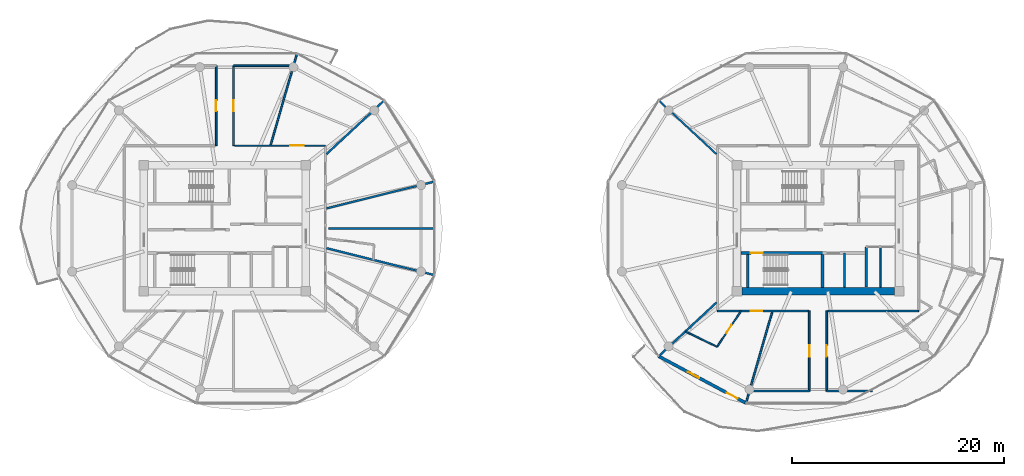
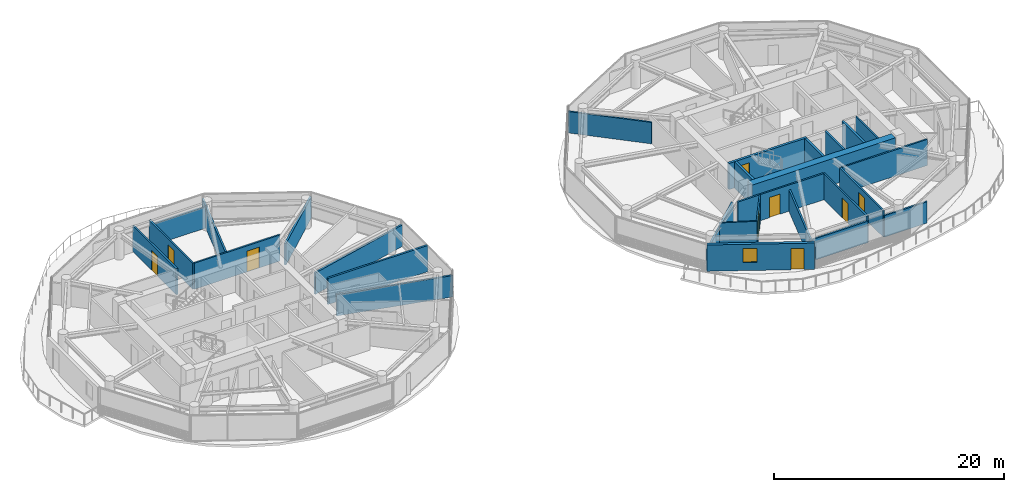
# One storey, part 15 of 22: 28 walls, 9 doors, 1 window, 10 openings.
"""IFC4 building model written with IfcOpenShell, lengths in metres."""

from ifc_helpers import new_model, si_unit, direction, frame, frame_2d, origin, place, context, subcontext, project, spatial, rectangle, extrude, source, transform, mapped, material, layer, layer_set, type_object, type_shapes, element, fill, save


model = new_model("IFC4")

# Units and contexts
model_context = context("Model", 3, precision=1e-05, world=origin(), true_north=direction((0.0, 1.0)))
body_context = subcontext(model_context, "Body", "Model", "MODEL_VIEW")
ifc_project = project(units=[si_unit("LENGTHUNIT", "METRE"), si_unit("AREAUNIT", "SQUARE_METRE"), si_unit("VOLUMEUNIT", "CUBIC_METRE"), si_unit("PLANEANGLEUNIT", "RADIAN"), si_unit("MASSUNIT", "GRAM", prefix="KILO")], contexts=[model_context])

# Site, building, storey
site_placement = place(None, origin())
site = spatial("IfcSite", under=ifc_project, at=site_placement, CompositionType="ELEMENT")
building_placement = place(site_placement, origin())
building = spatial("IfcBuilding", under=site, at=building_placement, Name="Norrkilde Senior Care Towers", CompositionType="ELEMENT")
storey_placement = place(building_placement, frame((0.0, 0.0, 87.10009765625)))
storey = spatial("IfcBuildingStorey", under=building, at=storey_placement, Name="L26", CompositionType="ELEMENT", Elevation=87.10009765625)

# Wall
ifc_material_1 = material(Name="Concrete C60/75", Category="concrete")
ifc_layer_1 = layer(ifc_material_1, 0.719970703125)
ifc_layer_set_1 = layer_set([ifc_layer_1], Name="Concrete C60/75")
wall_type_1 = type_object("IfcWallType", Name="Core Shear Wall Z2 720", PredefinedType="SHEAR", material=ifc_layer_set_1)
shared_shape_1 = source(origin(), body_context, "Body", "SweptSolid", [
    extrude(rectangle(XDim=14.39990234375, YDim=0.719970703125, at=frame_2d((7.199951171875, 0.0))), origin(), (0.0, 0.0, 1.0), 2.789794921875),
])
type_shapes(wall_type_1, [shared_shape_1])
wall_1_placement = place(storey_placement, frame((35.199951171875, -5.949951171875, 0.0), z_axis=(0.0, 0.0, 1.0), x_axis=(-1.0, 0.0, 0.0)))
element("IfcWall", 1, at=wall_1_placement, inside=storey, type_object=wall_type_1, Name="L26 Core E South Shear Wall", PredefinedType="SHEAR", context=body_context, shape_type="MappedRepresentation", body=[
    mapped(shared_shape_1, transform((0.0, 0.0, 0.0), x_axis=(1.0, 0.0, 0.0), y_axis=(0.0, 1.0, 0.0), z_axis=(0.0, 0.0, 1.0), scale=1.0)),
])

# Wall, openings, door, window
ifc_material_2 = material(Name="Precast concrete C45/55", Category="concrete")
ifc_layer_2 = layer(ifc_material_2, 0.2900390625)
ifc_layer_set_2 = layer_set([ifc_layer_2], Name="Precast concrete C45/55")
wall_type_2 = type_object("IfcWallType", Name="Winter Garden Facade Wall 290", PredefinedType="SOLIDWALL", material=ifc_layer_set_2)
shared_shape_2 = source(origin(), body_context, "Body", "SweptSolid", [
    extrude(rectangle(XDim=9.3505859375, YDim=0.2900390625, at=frame_2d((4.67529296875, 0.0))), origin(), (0.0, 0.0, 1.0), 2.789794921875),
])
type_shapes(wall_type_2, [shared_shape_2])
wall_2_placement = place(storey_placement, frame((21.19287109375, -16.498046875, 0.0), z_axis=(0.0, 0.0, 1.0), x_axis=(-0.881184411073, 0.472772708267, 0.0)))
wall_2 = element("IfcWall", 2, at=wall_2_placement, inside=storey, type_object=wall_type_2, Name="L26 Drum E Balcony Access Wall 07", PredefinedType="SOLIDWALL", context=body_context, shape_type="MappedRepresentation", body=[
    mapped(shared_shape_2, transform((0.0, 0.0, 0.0), x_axis=(1.0, 0.0, 0.0), y_axis=(0.0, 1.0, 0.0), z_axis=(0.0, 0.0, 1.0), scale=1.0)),
])
opening_1_placement = place(wall_2_placement, frame((0.89990234375, 0.0, 0.0)))
opening_1 = element("IfcOpeningElement", 3, at=opening_1_placement, cuts=wall_2, Name="Opening D-09", PredefinedType="OPENING", context=body_context, shape_type="SweptSolid", body=[
    extrude(rectangle(XDim=1.14990234375, YDim=2.25, at=frame_2d((0.574951171875, 1.125))), frame((0.0, 0.155029296875, 0.0), z_axis=(0.0, -1.0, 0.0), x_axis=(1.0, 0.0, 0.0)), (0.0, 0.0, 1.0), 0.31005859375),
])
opening_2_placement = place(wall_2_placement, frame((5.025146484375, 0.0, 0.85009765625)))
opening_2 = element("IfcOpeningElement", 4, at=opening_2_placement, cuts=wall_2, Name="Opening WN-07", PredefinedType="OPENING", context=body_context, shape_type="SweptSolid", body=[
    extrude(rectangle(XDim=1.199951171875, YDim=1.5, at=frame_2d((0.60009765625, 0.75))), frame((0.0, 0.155029296875, 0.0), z_axis=(0.0, -1.0, 0.0), x_axis=(1.0, 0.0, 0.0)), (0.0, 0.0, 1.0), 0.31005859375),
])
ifc_material_3 = material(Name="Anodised Aluminium", Category="aluminium")
door_type_1 = type_object("IfcDoorType", Name="Terrace and Balcony Glazed Door 1150x2250", OperationType="NOTDEFINED", PredefinedType="DOOR", material=ifc_material_3)
shared_shape_3 = source(origin(), body_context, "Body", "SweptSolid", [
    extrude(rectangle(XDim=1.14990234375, YDim=2.25, at=frame_2d((0.574951171875, 1.125))), frame((0.0, 0.02490234375, 0.0), z_axis=(0.0, -1.0, 0.0), x_axis=(1.0, 0.0, 0.0)), (0.0, 0.0, 1.0), 0.050048828125),
])
type_shapes(door_type_1, [shared_shape_3])
door_1_placement = place(opening_1_placement, origin())
door_1 = element("IfcDoor", 5, at=door_1_placement, inside=storey, type_object=door_type_1, Name="L26 Drum E Outdoor Terrace Door 07", OperationType="SINGLE_SWING_RIGHT", OverallHeight=2.25, OverallWidth=1.14990234375, PredefinedType="DOOR", context=body_context, shape_type="MappedRepresentation", body=[
    mapped(shared_shape_3, transform((0.0, 0.0, 0.0), x_axis=(1.0, 0.0, 0.0), y_axis=(0.0, 1.0, 0.0), z_axis=(0.0, 0.0, 1.0), scale=1.0)),
])
fill(opening_1, door_1)
ifc_material_4 = material(Name="Triple Low-E Insulated Glazing", Category="glass")
window_type = type_object("IfcWindowType", Name="Stairwell Smoke Vent Window 1200x1500", PartitioningType="SINGLE_PANEL", PredefinedType="WINDOW", material=ifc_material_4)
shared_shape_4 = source(origin(), body_context, "Body", "SweptSolid", [
    extrude(rectangle(XDim=1.199951171875, YDim=1.5, at=frame_2d((0.60009765625, 0.75))), frame((0.0, 0.030029296875, 0.0), z_axis=(0.0, -1.0, 0.0), x_axis=(1.0, 0.0, 0.0)), (0.0, 0.0, 1.0), 0.06005859375),
])
type_shapes(window_type, [shared_shape_4])
window_placement = place(opening_2_placement, origin())
window = element("IfcWindow", 6, at=window_placement, inside=storey, type_object=window_type, Name="L26 Drum E Winter Garden Window 07", OverallHeight=1.5, OverallWidth=1.199951171875, PartitioningType="SINGLE_PANEL", PredefinedType="WINDOW", context=body_context, shape_type="MappedRepresentation", body=[
    mapped(shared_shape_4, transform((0.0, 0.0, 0.0), x_axis=(1.0, 0.0, 0.0), y_axis=(0.0, 1.0, 0.0), z_axis=(0.0, 0.0, 1.0), scale=1.0)),
])
fill(opening_2, window)

# Walls
ifc_material_5 = material(Name="Concrete C45/55", Category="concrete")
ifc_layer_3 = layer(ifc_material_5, 0.199951171875)
ifc_layer_set_3 = layer_set([ifc_layer_3], Name="Concrete C45/55")
wall_type_3 = type_object("IfcWallType", Name="Shaft Division and Plant Partition 200", PredefinedType="PARTITIONING", material=ifc_layer_set_3)
shared_shape_5 = source(origin(), body_context, "Body", "SweptSolid", [
    extrude(rectangle(XDim=3.800048828125, YDim=0.199951171875, at=frame_2d((1.89990234375, 0.0))), origin(), (0.0, 0.0, 1.0), 2.77490234375),
])
type_shapes(wall_type_3, [shared_shape_5])
wall_3_placement = place(storey_placement, frame((32.550048828125, -5.550048828125, 0.0), z_axis=(0.0, 0.0, 1.0), x_axis=(0.0, 1.0, 0.0)))
element("IfcWall", 7, at=wall_3_placement, inside=storey, type_object=wall_type_3, Name="WL-INT-L26-E-PKBE", PredefinedType="PARTITIONING", context=body_context, shape_type="MappedRepresentation", body=[
    mapped(shared_shape_5, transform((0.0, 0.0, 0.0), x_axis=(1.0, 0.0, 0.0), y_axis=(0.0, 1.0, 0.0), z_axis=(0.0, 0.0, 1.0), scale=1.0)),
])
ifc_layer_4 = layer(ifc_material_5, 0.179931640625)
ifc_layer_set_4 = layer_set([ifc_layer_4], Name="Concrete C45/55")
wall_type_4 = type_object("IfcWallType", Name="Hoistway Division Rated Partition 180", PredefinedType="PARTITIONING", material=ifc_layer_set_4)
shared_shape_6 = source(origin(), body_context, "Body", "SweptSolid", [
    extrude(rectangle(XDim=3.219970703125, YDim=0.179931640625, at=frame_2d((1.60986328125, 0.0))), origin(), (0.0, 0.0, 1.0), 2.77490234375),
])
type_shapes(wall_type_4, [shared_shape_6])
wall_4_placement = place(storey_placement, frame((30.5, -5.550048828125, 0.0), z_axis=(0.0, 0.0, 1.0), x_axis=(0.0, 1.0, 0.0)))
element("IfcWall", 8, at=wall_4_placement, inside=storey, type_object=wall_type_4, Name="WL-INT-L26-E-PL34", PredefinedType="PARTITIONING", context=body_context, shape_type="MappedRepresentation", body=[
    mapped(shared_shape_6, transform((0.0, 0.0, 0.0), x_axis=(1.0, 0.0, 0.0), y_axis=(0.0, 1.0, 0.0), z_axis=(0.0, 0.0, 1.0), scale=1.0)),
])
ifc_material_6 = material(Name="Gypsum Acoustic Board")
ifc_layer_5 = layer(ifc_material_6, 0.139892578125)
ifc_layer_set_5 = layer_set([ifc_layer_5], Name="Gypsum Acoustic Board")
wall_type_5 = type_object("IfcWallType", Name="En-suite Wet Room Wall 140", PredefinedType="PARTITIONING", material=ifc_layer_set_5)
shared_shape_7 = source(origin(), body_context, "Body", "SweptSolid", [
    extrude(rectangle(XDim=3.800048828125, YDim=0.139892578125, at=frame_2d((1.89990234375, 0.0))), origin(), (0.0, 0.0, 1.0), 2.77490234375),
])
wall_5_placement = place(storey_placement, frame((33.89990234375, -5.550048828125, 0.0), z_axis=(0.0, 0.0, 1.0), x_axis=(0.0, 1.0, 0.0)))
element("IfcWall", 9, at=wall_5_placement, inside=storey, type_object=wall_type_5, Name="WL-INT-L26-E-CS1V", PredefinedType="PARTITIONING", context=body_context, shape_type="MappedRepresentation", body=[
    mapped(shared_shape_7, transform((0.0, 0.0, 0.0), x_axis=(1.0, 0.0, 0.0), y_axis=(0.0, 1.0, 0.0), z_axis=(0.0, 0.0, 1.0), scale=1.0)),
])

# Wall, opening, door
ifc_layer_6 = layer(ifc_material_6, 0.1650390625)
ifc_layer_set_6 = layer_set([ifc_layer_6], Name="Gypsum Acoustic Board")
wall_type_6 = type_object("IfcWallType", Name="Corridor Rated Partition 165", PredefinedType="PARTITIONING", material=ifc_layer_set_6)
shared_shape_8 = source(origin(), body_context, "Body", "SweptSolid", [
    extrude(rectangle(XDim=8.60009765625, YDim=0.1650390625, at=frame_2d((4.300048828125, 0.0))), origin(), (0.0, 0.0, 1.0), 2.77490234375),
])
wall_6_placement = place(storey_placement, frame((-27.10009765625, 7.800048828125, 0.0), z_axis=(0.0, 0.0, 1.0), x_axis=(1.0, 0.0, 0.0)))
wall_6 = element("IfcWall", 10, at=wall_6_placement, inside=storey, type_object=wall_type_6, Name="WL-INT-L26-W-CRW-N-1", PredefinedType="PARTITIONING", context=body_context, shape_type="MappedRepresentation", body=[
    mapped(shared_shape_8, transform((0.0, 0.0, 0.0), x_axis=(1.0, 0.0, 0.0), y_axis=(0.0, 1.0, 0.0), z_axis=(0.0, 0.0, 1.0), scale=1.0)),
])
opening_3_placement = place(wall_6_placement, frame((5.27490234375, 0.0, 0.0)))
opening_3 = element("IfcOpeningElement", 11, at=opening_3_placement, cuts=wall_6, Name="Opening D-05", PredefinedType="OPENING", context=body_context, shape_type="SweptSolid", body=[
    extrude(rectangle(XDim=1.25, YDim=2.199951171875, at=frame_2d((0.625, 1.10009765625))), frame((0.0, 0.092529296875, 0.0), z_axis=(0.0, -1.0, 0.0), x_axis=(1.0, 0.0, 0.0)), (0.0, 0.0, 1.0), 0.18505859375),
])
ifc_material_7 = material(Name="Nordic Ash Timber", Category="wood")
door_type_2 = type_object("IfcDoorType", Name="Care Bedroom Bariatric Door 1250x2200", OperationType="NOTDEFINED", PredefinedType="DOOR", material=ifc_material_7)
shared_shape_9 = source(origin(), body_context, "Body", "SweptSolid", [
    extrude(rectangle(XDim=1.25, YDim=2.199951171875, at=frame_2d((0.625, 1.10009765625))), frame((0.0, 0.02490234375, 0.0), z_axis=(0.0, -1.0, 0.0), x_axis=(1.0, 0.0, 0.0)), (0.0, 0.0, 1.0), 0.050048828125),
])
type_shapes(door_type_2, [shared_shape_9])
door_2_placement = place(opening_3_placement, frame((1.25, 0.0, 0.0), z_axis=(0.0, 0.0, 1.0), x_axis=(-1.0, 0.0, 0.0)))
door_2 = element("IfcDoor", 12, at=door_2_placement, inside=storey, type_object=door_type_2, Name="L26 Household Therapeutic Kitchen Door", OperationType="SINGLE_SWING_RIGHT", OverallHeight=2.199951171875, OverallWidth=1.25, PredefinedType="DOOR", context=body_context, shape_type="MappedRepresentation", body=[
    mapped(shared_shape_9, transform((0.0, 0.0, 0.0), x_axis=(1.0, 0.0, 0.0), y_axis=(0.0, 1.0, 0.0), z_axis=(0.0, 0.0, 1.0), scale=1.0)),
])
fill(opening_3, door_2)

# Wall
wall_7_placement = place(storey_placement, frame((37.5, -7.800048828125, 0.0), z_axis=(0.0, 0.0, 1.0), x_axis=(-1.0, 0.0, 0.0)))
element("IfcWall", 13, at=wall_7_placement, inside=storey, type_object=wall_type_6, Name="WL-INT-L26-E-CRW-S-0", PredefinedType="PARTITIONING", context=body_context, shape_type="MappedRepresentation", body=[
    mapped(shared_shape_8, transform((0.0, 0.0, 0.0), x_axis=(1.0, 0.0, 0.0), y_axis=(0.0, 1.0, 0.0), z_axis=(0.0, 0.0, 1.0), scale=1.0)),
])

# Wall, opening, door
wall_8_placement = place(storey_placement, frame((27.10009765625, -7.800048828125, 0.0), z_axis=(0.0, 0.0, 1.0), x_axis=(-1.0, 0.0, 0.0)))
wall_8 = element("IfcWall", 14, at=wall_8_placement, inside=storey, type_object=wall_type_6, Name="WL-INT-L26-E-CRW-S-1", PredefinedType="PARTITIONING", context=body_context, shape_type="MappedRepresentation", body=[
    mapped(shared_shape_8, transform((0.0, 0.0, 0.0), x_axis=(1.0, 0.0, 0.0), y_axis=(0.0, 1.0, 0.0), z_axis=(0.0, 0.0, 1.0), scale=1.0)),
])
opening_4_placement = place(wall_8_placement, frame((4.384033203125, 0.0, 0.0)))
opening_4 = element("IfcOpeningElement", 15, at=opening_4_placement, cuts=wall_8, Name="Opening D-06", PredefinedType="OPENING", context=body_context, shape_type="SweptSolid", body=[
    extrude(rectangle(XDim=1.050048828125, YDim=2.14990234375, at=frame_2d((0.52490234375, 1.074951171875))), frame((0.0, 0.092529296875, 0.0), z_axis=(0.0, -1.0, 0.0), x_axis=(1.0, 0.0, 0.0)), (0.0, 0.0, 1.0), 0.18505859375),
])
door_type_3 = type_object("IfcDoorType", Name="Apartment Entrance Fire Door 1050x2150", OperationType="NOTDEFINED", PredefinedType="DOOR", material=ifc_material_7)
shared_shape_10 = source(origin(), body_context, "Body", "SweptSolid", [
    extrude(rectangle(XDim=1.050048828125, YDim=2.14990234375, at=frame_2d((0.52490234375, 1.074951171875))), frame((0.0, 0.02490234375, 0.0), z_axis=(0.0, -1.0, 0.0), x_axis=(1.0, 0.0, 0.0)), (0.0, 0.0, 1.0), 0.050048828125),
])
type_shapes(door_type_3, [shared_shape_10])
door_3_placement = place(opening_4_placement, frame((1.050048828125, 0.0, 0.0), z_axis=(0.0, 0.0, 1.0), x_axis=(-1.0, 0.0, 0.0)))
door_3 = element("IfcDoor", 16, at=door_3_placement, inside=storey, type_object=door_type_3, Name="L26 Studio 26B Entrance Door", OperationType="SINGLE_SWING_RIGHT", OverallHeight=2.14990234375, OverallWidth=1.050048828125, PredefinedType="DOOR", context=body_context, shape_type="MappedRepresentation", body=[
    mapped(shared_shape_10, transform((0.0, 0.0, 0.0), x_axis=(1.0, 0.0, 0.0), y_axis=(0.0, 1.0, 0.0), z_axis=(0.0, 0.0, 1.0), scale=1.0)),
])
fill(opening_4, door_3)

# Walls
shared_shape_11 = source(origin(), body_context, "Body", "SweptSolid", [
    extrude(rectangle(XDim=8.9892578125, YDim=0.1650390625, at=frame_2d((4.49462890625, 0.0))), origin(), (0.0, 0.0, 1.0), 2.27490234375),
])
for number, where, z_axis, x_axis, name in (
    (17, (-23.677978515625, 7.8798828125, 0.0), (0.0, 0.0, 1.0), (0.27702323008, 0.960863221274, 0.0), "WL-INT-L26-W-DEM-02-0"),
    (18, (23.677978515625, -7.8798828125, 0.0), (0.0, 0.0, 1.0), (-0.27702323008, -0.960863221274, 0.0), "WL-INT-L26-E-DEM-08-0"),
):
    element("IfcWall", number, at=place(storey_placement, frame(where, z_axis=z_axis, x_axis=x_axis)), inside=storey, type_object=wall_type_6, Name=name, PredefinedType="PARTITIONING", context=body_context, shape_type="MappedRepresentation", body=[
        mapped(shared_shape_11, transform((0.0, 0.0, 0.0), x_axis=(1.0, 0.0, 0.0), y_axis=(0.0, 1.0, 0.0), z_axis=(0.0, 0.0, 1.0), scale=1.0)),
    ])
shared_shape_12 = source(origin(), body_context, "Body", "SweptSolid", [
    extrude(rectangle(XDim=7.482177734375, YDim=0.1650390625, at=frame_2d((3.7412109375, 0.0))), origin(), (0.0, 0.0, 1.0), 2.27490234375),
])
wall_9_placement = place(storey_placement, frame((18.419921875, 6.998046875, 0.0), z_axis=(0.0, 0.0, 1.0), x_axis=(-0.732508698043, 0.680757671489, 0.0)))
element("IfcWall", 19, at=wall_9_placement, inside=storey, type_object=wall_type_6, Name="WL-INT-L26-E-DEM-04-0", PredefinedType="PARTITIONING", context=body_context, shape_type="MappedRepresentation", body=[
    mapped(shared_shape_12, transform((0.0, 0.0, 0.0), x_axis=(1.0, 0.0, 0.0), y_axis=(0.0, 1.0, 0.0), z_axis=(0.0, 0.0, 1.0), scale=1.0)),
])

# Wall, opening, door
shared_shape_13 = source(origin(), body_context, "Body", "SweptSolid", [
    extrude(rectangle(XDim=7.56005859375, YDim=0.1650390625, at=frame_2d((3.780029296875, 0.0))), origin(), (0.0, 0.0, 1.0), 2.77490234375),
])
wall_10_placement = place(storey_placement, frame((-28.820068359375, 7.800048828125, 0.0), z_axis=(0.0, 0.0, 1.0), x_axis=(0.0, 1.0, 0.0)))
wall_10 = element("IfcWall", 20, at=wall_10_placement, inside=storey, type_object=wall_type_6, Name="WL-INT-L26-W-PKW-NWL", PredefinedType="PARTITIONING", context=body_context, shape_type="MappedRepresentation", body=[
    mapped(shared_shape_13, transform((0.0, 0.0, 0.0), x_axis=(1.0, 0.0, 0.0), y_axis=(0.0, 1.0, 0.0), z_axis=(0.0, 0.0, 1.0), scale=1.0)),
])
opening_5_placement = place(wall_10_placement, frame((3.2548828125, 0.0, 0.0)))
opening_5 = element("IfcOpeningElement", 21, at=opening_5_placement, cuts=wall_10, Name="Opening D-06", PredefinedType="OPENING", context=body_context, shape_type="SweptSolid", body=[
    extrude(rectangle(XDim=1.050048828125, YDim=2.14990234375, at=frame_2d((0.52490234375, 1.074951171875))), frame((0.0, 0.092529296875, 0.0), z_axis=(0.0, -1.0, 0.0), x_axis=(1.0, 0.0, 0.0)), (0.0, 0.0, 1.0), 0.18505859375),
])
door_4_placement = place(opening_5_placement, frame((1.050048828125, 0.0, 0.0), z_axis=(0.0, 0.0, 1.0), x_axis=(-1.0, 0.0, 0.0)))
door_4 = element("IfcDoor", 22, at=door_4_placement, inside=storey, type_object=door_type_3, Name="L26 Reading Lounge NWL Door", OperationType="SINGLE_SWING_RIGHT", OverallHeight=2.14990234375, OverallWidth=1.050048828125, PredefinedType="DOOR", context=body_context, shape_type="MappedRepresentation", body=[
    mapped(shared_shape_10, transform((0.0, 0.0, 0.0), x_axis=(1.0, 0.0, 0.0), y_axis=(0.0, 1.0, 0.0), z_axis=(0.0, 0.0, 1.0), scale=1.0)),
])
fill(opening_5, door_4)

wall_11_placement = place(storey_placement, frame((-27.179931640625, 7.800048828125, 0.0), z_axis=(0.0, 0.0, 1.0), x_axis=(0.0, 1.0, 0.0)))
wall_11 = element("IfcWall", 23, at=wall_11_placement, inside=storey, type_object=wall_type_6, Name="WL-INT-L26-W-PKW-NEL", PredefinedType="PARTITIONING", context=body_context, shape_type="MappedRepresentation", body=[
    mapped(shared_shape_13, transform((0.0, 0.0, 0.0), x_axis=(1.0, 0.0, 0.0), y_axis=(0.0, 1.0, 0.0), z_axis=(0.0, 0.0, 1.0), scale=1.0)),
])
opening_6_placement = place(wall_11_placement, frame((3.2548828125, 0.0, 0.0)))
opening_6 = element("IfcOpeningElement", 24, at=opening_6_placement, cuts=wall_11, Name="Opening D-06", PredefinedType="OPENING", context=body_context, shape_type="SweptSolid", body=[
    extrude(rectangle(XDim=1.050048828125, YDim=2.14990234375, at=frame_2d((0.52490234375, 1.074951171875))), frame((0.0, 0.092529296875, 0.0), z_axis=(0.0, -1.0, 0.0), x_axis=(1.0, 0.0, 0.0)), (0.0, 0.0, 1.0), 0.18505859375),
])
door_5_placement = place(opening_6_placement, frame((1.050048828125, 0.0, 0.0), z_axis=(0.0, 0.0, 1.0), x_axis=(-1.0, 0.0, 0.0)))
door_5 = element("IfcDoor", 25, at=door_5_placement, inside=storey, type_object=door_type_3, Name="L26 Reading Lounge NEL Door", OperationType="SINGLE_SWING_RIGHT", OverallHeight=2.14990234375, OverallWidth=1.050048828125, PredefinedType="DOOR", context=body_context, shape_type="MappedRepresentation", body=[
    mapped(shared_shape_10, transform((0.0, 0.0, 0.0), x_axis=(1.0, 0.0, 0.0), y_axis=(0.0, 1.0, 0.0), z_axis=(0.0, 0.0, 1.0), scale=1.0)),
])
fill(opening_6, door_5)

wall_12_placement = place(storey_placement, frame((27.179931640625, -15.360107421875, 0.0), z_axis=(0.0, 0.0, 1.0), x_axis=(0.0, 1.0, 0.0)))
wall_12 = element("IfcWall", 26, at=wall_12_placement, inside=storey, type_object=wall_type_6, Name="WL-INT-L26-E-PKW-SWL", PredefinedType="PARTITIONING", context=body_context, shape_type="MappedRepresentation", body=[
    mapped(shared_shape_13, transform((0.0, 0.0, 0.0), x_axis=(1.0, 0.0, 0.0), y_axis=(0.0, 1.0, 0.0), z_axis=(0.0, 0.0, 1.0), scale=1.0)),
])
opening_7_placement = place(wall_12_placement, frame((3.2548828125, 0.0, 0.0)))
opening_7 = element("IfcOpeningElement", 27, at=opening_7_placement, cuts=wall_12, Name="Opening D-06", PredefinedType="OPENING", context=body_context, shape_type="SweptSolid", body=[
    extrude(rectangle(XDim=1.050048828125, YDim=2.14990234375, at=frame_2d((0.52490234375, 1.074951171875))), frame((0.0, 0.092529296875, 0.0), z_axis=(0.0, -1.0, 0.0), x_axis=(1.0, 0.0, 0.0)), (0.0, 0.0, 1.0), 0.18505859375),
])
door_6_placement = place(opening_7_placement, frame((1.050048828125, 0.0, 0.0), z_axis=(0.0, 0.0, 1.0), x_axis=(-1.0, 0.0, 0.0)))
door_6 = element("IfcDoor", 28, at=door_6_placement, inside=storey, type_object=door_type_3, Name="L26 Reading Lounge SWL Door", OperationType="SINGLE_SWING_RIGHT", OverallHeight=2.14990234375, OverallWidth=1.050048828125, PredefinedType="DOOR", context=body_context, shape_type="MappedRepresentation", body=[
    mapped(shared_shape_10, transform((0.0, 0.0, 0.0), x_axis=(1.0, 0.0, 0.0), y_axis=(0.0, 1.0, 0.0), z_axis=(0.0, 0.0, 1.0), scale=1.0)),
])
fill(opening_7, door_6)

wall_13_placement = place(storey_placement, frame((28.820068359375, -15.360107421875, 0.0), z_axis=(0.0, 0.0, 1.0), x_axis=(0.0, 1.0, 0.0)))
wall_13 = element("IfcWall", 29, at=wall_13_placement, inside=storey, type_object=wall_type_6, Name="WL-INT-L26-E-PKW-SEL", PredefinedType="PARTITIONING", context=body_context, shape_type="MappedRepresentation", body=[
    mapped(shared_shape_13, transform((0.0, 0.0, 0.0), x_axis=(1.0, 0.0, 0.0), y_axis=(0.0, 1.0, 0.0), z_axis=(0.0, 0.0, 1.0), scale=1.0)),
])
opening_8_placement = place(wall_13_placement, frame((3.2548828125, 0.0, 0.0)))
opening_8 = element("IfcOpeningElement", 30, at=opening_8_placement, cuts=wall_13, Name="Opening D-06", PredefinedType="OPENING", context=body_context, shape_type="SweptSolid", body=[
    extrude(rectangle(XDim=1.050048828125, YDim=2.14990234375, at=frame_2d((0.52490234375, 1.074951171875))), frame((0.0, 0.092529296875, 0.0), z_axis=(0.0, -1.0, 0.0), x_axis=(1.0, 0.0, 0.0)), (0.0, 0.0, 1.0), 0.18505859375),
])
door_7_placement = place(opening_8_placement, frame((1.050048828125, 0.0, 0.0), z_axis=(0.0, 0.0, 1.0), x_axis=(-1.0, 0.0, 0.0)))
door_7 = element("IfcDoor", 31, at=door_7_placement, inside=storey, type_object=door_type_3, Name="L26 Reading Lounge SEL Door", OperationType="SINGLE_SWING_RIGHT", OverallHeight=2.14990234375, OverallWidth=1.050048828125, PredefinedType="DOOR", context=body_context, shape_type="MappedRepresentation", body=[
    mapped(shared_shape_10, transform((0.0, 0.0, 0.0), x_axis=(1.0, 0.0, 0.0), y_axis=(0.0, 1.0, 0.0), z_axis=(0.0, 0.0, 1.0), scale=1.0)),
])
fill(opening_8, door_7)

# Walls
shared_shape_14 = source(origin(), body_context, "Body", "SweptSolid", [
    extrude(rectangle(XDim=4.306884765625, YDim=0.1650390625, at=frame_2d((2.1533203125, 0.0))), origin(), (0.0, 0.0, 1.0), 2.27490234375),
])
wall_14_placement = place(storey_placement, frame((28.820068359375, -15.360107421875, 0.0), z_axis=(0.0, 0.0, 1.0), x_axis=(1.0, 0.0, 0.0)))
element("IfcWall", 32, at=wall_14_placement, inside=storey, type_object=wall_type_6, Name="WL-INT-L26-E-PKH-SEL-0", PredefinedType="PARTITIONING", context=body_context, shape_type="MappedRepresentation", body=[
    mapped(shared_shape_14, transform((0.0, 0.0, 0.0), x_axis=(1.0, 0.0, 0.0), y_axis=(0.0, 1.0, 0.0), z_axis=(0.0, 0.0, 1.0), scale=1.0)),
])
shared_shape_15 = source(origin(), body_context, "Body", "SweptSolid", [
    extrude(rectangle(XDim=5.81396484375, YDim=0.1650390625, at=frame_2d((2.906982421875, 0.0))), origin(), (0.0, 0.0, 1.0), 2.27490234375),
])
type_shapes(wall_type_6, [shared_shape_8, shared_shape_11, shared_shape_12, shared_shape_13, shared_shape_14, shared_shape_15])
for number, where, z_axis, x_axis, name in (
    (33, (-27.179931640625, 15.360107421875, 0.0), (0.0, 0.0, 1.0), (1.0, 0.0, 0.0), "WL-INT-L26-W-PKH-NEL-0"),
    (34, (21.365966796875, -15.360107421875, 0.0), (0.0, 0.0, 1.0), (1.0, 0.0, 0.0), "WL-INT-L26-E-PKH-SWL-0"),
):
    element("IfcWall", number, at=place(storey_placement, frame(where, z_axis=z_axis, x_axis=x_axis)), inside=storey, type_object=wall_type_6, Name=name, PredefinedType="PARTITIONING", context=body_context, shape_type="MappedRepresentation", body=[
        mapped(shared_shape_15, transform((0.0, 0.0, 0.0), x_axis=(1.0, 0.0, 0.0), y_axis=(0.0, 1.0, 0.0), z_axis=(0.0, 0.0, 1.0), scale=1.0)),
    ])
ifc_layer_7 = layer(ifc_material_6, 0.18994140625)
ifc_layer_set_7 = layer_set([ifc_layer_7], Name="Gypsum Acoustic Board")
wall_type_7 = type_object("IfcWallType", Name="Unit Demising Acoustic Wall 190", PredefinedType="PARTITIONING", material=ifc_layer_set_7)
shared_shape_16 = source(origin(), body_context, "Body", "SweptSolid", [
    extrude(rectangle(XDim=10.5556640625, YDim=0.18994140625, at=frame_2d((5.27783203125, 0.0))), origin(), (0.0, 0.0, 1.0), 2.27490234375),
])
for number, where, z_axis, x_axis, name in (
    (35, (-18.419921875, -1.875, 0.0), (0.0, 0.0, 1.0), (0.970363857851, -0.241648470667, 0.0), "WL-INT-L26-W-DEM-11-0"),
    (36, (-18.419921875, 1.875, 0.0), (0.0, 0.0, 1.0), (0.970363857851, 0.241648470667, 0.0), "WL-INT-L26-W-DEM-00-0"),
):
    element("IfcWall", number, at=place(storey_placement, frame(where, z_axis=z_axis, x_axis=x_axis)), inside=storey, type_object=wall_type_7, Name=name, PredefinedType="PARTITIONING", context=body_context, shape_type="MappedRepresentation", body=[
        mapped(shared_shape_16, transform((0.0, 0.0, 0.0), x_axis=(1.0, 0.0, 0.0), y_axis=(0.0, 1.0, 0.0), z_axis=(0.0, 0.0, 1.0), scale=1.0)),
    ])
shared_shape_17 = source(origin(), body_context, "Body", "SweptSolid", [
    extrude(rectangle(XDim=7.482177734375, YDim=0.18994140625, at=frame_2d((3.7412109375, 0.0))), origin(), (0.0, 0.0, 1.0), 2.27490234375),
])
for number, where, z_axis, x_axis, name in (
    (37, (-18.419921875, 6.998046875, 0.0), (0.0, 0.0, 1.0), (0.732508698043, 0.680757671489, 0.0), "WL-INT-L26-W-DEM-01-0"),
    (38, (18.419921875, -6.998046875, 0.0), (0.0, 0.0, 1.0), (-0.732508698043, -0.680757671489, 0.0), "WL-INT-L26-E-DEM-07-0"),
):
    element("IfcWall", number, at=place(storey_placement, frame(where, z_axis=z_axis, x_axis=x_axis)), inside=storey, type_object=wall_type_7, Name=name, PredefinedType="PARTITIONING", context=body_context, shape_type="MappedRepresentation", body=[
        mapped(shared_shape_17, transform((0.0, 0.0, 0.0), x_axis=(1.0, 0.0, 0.0), y_axis=(0.0, 1.0, 0.0), z_axis=(0.0, 0.0, 1.0), scale=1.0)),
    ])
shared_shape_18 = source(origin(), body_context, "Body", "SweptSolid", [
    extrude(rectangle(XDim=10.035888671875, YDim=0.18994140625, at=frame_2d((5.01806640625, 0.0))), origin(), (0.0, 0.0, 1.0), 2.77490234375),
])
type_shapes(wall_type_7, [shared_shape_16, shared_shape_17, shared_shape_18])
wall_15_placement = place(storey_placement, frame((-18.212890625, 0.0, 0.0), z_axis=(0.0, 0.0, 1.0), x_axis=(1.0, 0.0, 0.0)))
element("IfcWall", 39, at=wall_15_placement, inside=storey, type_object=wall_type_7, Name="WL-INT-L26-W-CMID-11", PredefinedType="PARTITIONING", context=body_context, shape_type="MappedRepresentation", body=[
    mapped(shared_shape_18, transform((0.0, 0.0, 0.0), x_axis=(1.0, 0.0, 0.0), y_axis=(0.0, 1.0, 0.0), z_axis=(0.0, 0.0, 1.0), scale=1.0)),
])

# Wall, opening, door
shared_shape_19 = source(origin(), body_context, "Body", "SweptSolid", [
    extrude(rectangle(XDim=4.02734375, YDim=0.139892578125, at=frame_2d((2.013671875, 0.0))), origin(), (0.0, 0.0, 1.0), 2.77490234375),
])
wall_16_placement = place(storey_placement, frame((20.714111328125, -7.830078125, 0.0), z_axis=(0.0, 0.0, 1.0), x_axis=(-0.555832825922, -0.831294093343, 0.0)))
wall_16 = element("IfcWall", 40, at=wall_16_placement, inside=storey, type_object=wall_type_5, Name="WL-INT-L26-E-ES-07", PredefinedType="PARTITIONING", context=body_context, shape_type="MappedRepresentation", body=[
    mapped(shared_shape_19, transform((0.0, 0.0, 0.0), x_axis=(1.0, 0.0, 0.0), y_axis=(0.0, 1.0, 0.0), z_axis=(0.0, 0.0, 1.0), scale=1.0)),
])
opening_9_placement = place(wall_16_placement, frame((1.5537109375, 0.0, 0.0)))
opening_9 = element("IfcOpeningElement", 41, at=opening_9_placement, cuts=wall_16, Name="Opening D-08", PredefinedType="OPENING", context=body_context, shape_type="SweptSolid", body=[
    extrude(rectangle(XDim=0.919921875, YDim=2.10009765625, at=frame_2d((0.4599609375, 1.050048828125))), frame((0.0, 0.079833984375, 0.0), z_axis=(0.0, -1.0, 0.0), x_axis=(1.0, 0.0, 0.0)), (0.0, 0.0, 1.0), 0.159912109375),
])
door_type_4 = type_object("IfcDoorType", Name="Accessible Wet Room Door 920x2100", OperationType="NOTDEFINED", PredefinedType="DOOR", material=ifc_material_7)
shared_shape_20 = source(origin(), body_context, "Body", "SweptSolid", [
    extrude(rectangle(XDim=0.919921875, YDim=2.10009765625, at=frame_2d((0.4599609375, 1.050048828125))), frame((0.0, 0.02490234375, 0.0), z_axis=(0.0, -1.0, 0.0), x_axis=(1.0, 0.0, 0.0)), (0.0, 0.0, 1.0), 0.050048828125),
])
type_shapes(door_type_4, [shared_shape_20])
door_8_placement = place(opening_9_placement, origin())
door_8 = element("IfcDoor", 42, at=door_8_placement, inside=storey, type_object=door_type_4, Name="L26 Studio 26B Bathroom Door", OperationType="SINGLE_SWING_LEFT", OverallHeight=2.10009765625, OverallWidth=0.919921875, PredefinedType="DOOR", context=body_context, shape_type="MappedRepresentation", body=[
    mapped(shared_shape_20, transform((0.0, 0.0, 0.0), x_axis=(1.0, 0.0, 0.0), y_axis=(0.0, 1.0, 0.0), z_axis=(0.0, 0.0, 1.0), scale=1.0)),
])
fill(opening_9, door_8)

# Wall
shared_shape_21 = source(origin(), body_context, "Body", "SweptSolid", [
    extrude(rectangle(XDim=3.291015625, YDim=0.139892578125, at=frame_2d((1.6455078125, 0.0))), origin(), (0.0, 0.0, 1.0), 2.77490234375),
])
type_shapes(wall_type_5, [shared_shape_7, shared_shape_19, shared_shape_21])
wall_17_placement = place(storey_placement, frame((18.4755859375, -11.177978515625, 0.0), z_axis=(0.0, 0.0, 1.0), x_axis=(-0.902381393443, 0.430938302739, 0.0)))
element("IfcWall", 43, at=wall_17_placement, inside=storey, type_object=wall_type_5, Name="WL-INT-L26-E-EF-07", PredefinedType="PARTITIONING", context=body_context, shape_type="MappedRepresentation", body=[
    mapped(shared_shape_21, transform((0.0, 0.0, 0.0), x_axis=(1.0, 0.0, 0.0), y_axis=(0.0, 1.0, 0.0), z_axis=(0.0, 0.0, 1.0), scale=1.0)),
])

# Wall, opening, door
ifc_layer_8 = layer(ifc_material_5, 0.239990234375)
ifc_layer_set_8 = layer_set([ifc_layer_8], Name="Concrete C45/55")
wall_type_8 = type_object("IfcWallType", Name="Shaft and Stair Enclosure Wall 240", PredefinedType="PARTITIONING", material=ifc_layer_set_8)
shared_shape_22 = source(origin(), body_context, "Body", "SweptSolid", [
    extrude(rectangle(XDim=7.830078125, YDim=0.239990234375, at=frame_2d((3.9150390625, 0.0))), origin(), (0.0, 0.0, 1.0), 2.789794921875),
])
wall_18_placement = place(storey_placement, frame((20.7099609375, -2.330078125, 0.0), z_axis=(0.0, 0.0, 1.0), x_axis=(1.0, 0.0, 0.0)))
wall_18 = element("IfcWall", 44, at=wall_18_placement, inside=storey, type_object=wall_type_8, Name="WL-INT-L26-E-ST2N", PredefinedType="PARTITIONING", context=body_context, shape_type="MappedRepresentation", body=[
    mapped(shared_shape_22, transform((0.0, 0.0, 0.0), x_axis=(1.0, 0.0, 0.0), y_axis=(0.0, 1.0, 0.0), z_axis=(0.0, 0.0, 1.0), scale=1.0)),
])
opening_10_placement = place(wall_18_placement, frame((0.949951171875, 0.0, 0.0)))
opening_10 = element("IfcOpeningElement", 45, at=opening_10_placement, cuts=wall_18, Name="Opening D-03", PredefinedType="OPENING", context=body_context, shape_type="SweptSolid", body=[
    extrude(rectangle(XDim=1.10009765625, YDim=2.14990234375, at=frame_2d((0.550048828125, 1.074951171875))), frame((0.0, 0.1298828125, 0.0), z_axis=(0.0, -1.0, 0.0), x_axis=(1.0, 0.0, 0.0)), (0.0, 0.0, 1.0), 0.260009765625),
])
ifc_material_8 = material(Name="Galvanised Painted Steel", Category="steel")
door_type_5 = type_object("IfcDoorType", Name="Stairwell Protected Fire Door 1100x2150", OperationType="NOTDEFINED", PredefinedType="DOOR", material=ifc_material_8)
shared_shape_23 = source(origin(), body_context, "Body", "SweptSolid", [
    extrude(rectangle(XDim=1.10009765625, YDim=2.14990234375, at=frame_2d((0.550048828125, 1.074951171875))), frame((0.0, 0.02490234375, 0.0), z_axis=(0.0, -1.0, 0.0), x_axis=(1.0, 0.0, 0.0)), (0.0, 0.0, 1.0), 0.050048828125),
])
type_shapes(door_type_5, [shared_shape_23])
door_9_placement = place(opening_10_placement, frame((1.10009765625, 0.0, 0.0), z_axis=(0.0, 0.0, 1.0), x_axis=(-1.0, 0.0, 0.0)))
door_9 = element("IfcDoor", 46, at=door_9_placement, inside=storey, type_object=door_type_5, Name="L26 Stair E2 Fire Door", OperationType="SINGLE_SWING_RIGHT", OverallHeight=2.14990234375, OverallWidth=1.10009765625, PredefinedType="DOOR", context=body_context, shape_type="MappedRepresentation", body=[
    mapped(shared_shape_23, transform((0.0, 0.0, 0.0), x_axis=(1.0, 0.0, 0.0), y_axis=(0.0, 1.0, 0.0), z_axis=(0.0, 0.0, 1.0), scale=1.0)),
])
fill(opening_10, door_9)

# Walls
shared_shape_24 = source(origin(), body_context, "Body", "SweptSolid", [
    extrude(rectangle(XDim=3.14013671875, YDim=0.239990234375, at=frame_2d((1.570068359375, 0.0))), origin(), (0.0, 0.0, 1.0), 2.789794921875),
])
type_shapes(wall_type_8, [shared_shape_22, shared_shape_24])
for number, where, z_axis, x_axis, name in (
    (47, (21.3798828125, -5.590087890625, 0.0), (0.0, 0.0, 1.0), (0.0, 1.0, 0.0), "WL-INT-L26-E-ST2W"),
    (48, (28.419921875, -5.590087890625, 0.0), (0.0, 0.0, 1.0), (0.0, 1.0, 0.0), "WL-INT-L26-E-ST2E"),
):
    element("IfcWall", number, at=place(storey_placement, frame(where, z_axis=z_axis, x_axis=x_axis)), inside=storey, type_object=wall_type_8, Name=name, PredefinedType="PARTITIONING", context=body_context, shape_type="MappedRepresentation", body=[
        mapped(shared_shape_24, transform((0.0, 0.0, 0.0), x_axis=(1.0, 0.0, 0.0), y_axis=(0.0, 1.0, 0.0), z_axis=(0.0, 0.0, 1.0), scale=1.0)),
    ])

save(model, "model.ifc")
